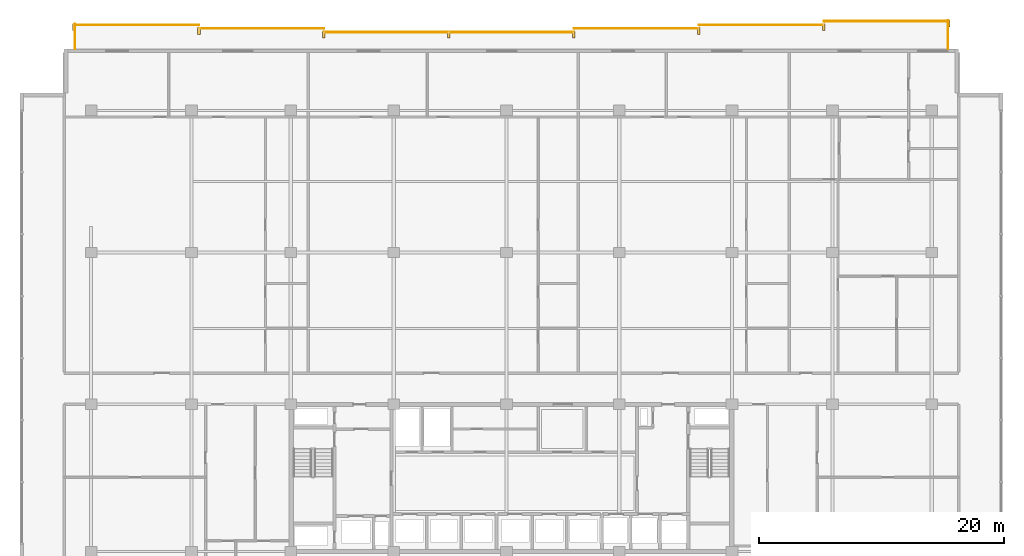
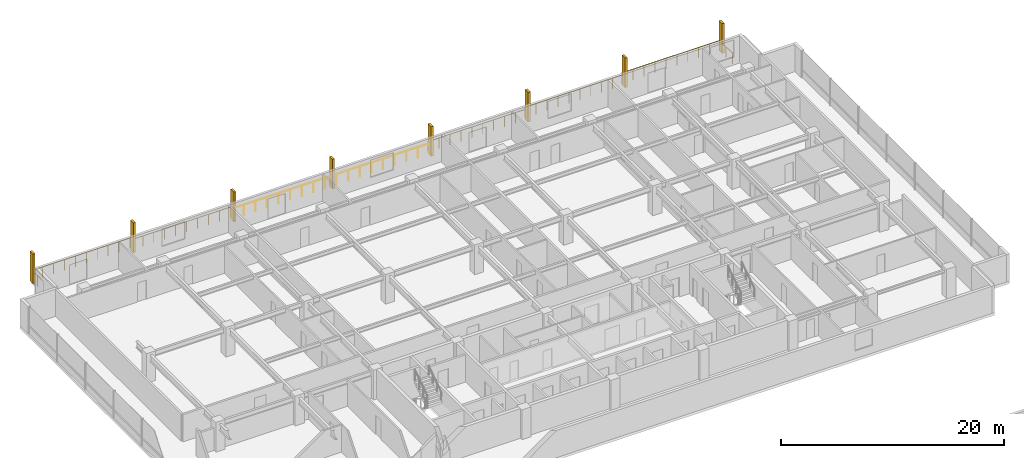
# One storey, part 38 of 38: 8 railings, 8 shading devices.
"""IFC4 building model written with IfcOpenShell, lengths in metres."""

from ifc_helpers import new_model, si_unit, direction, frame, origin, origin_2d, place, context, subcontext, project, spatial, rectangle, circle, extrude, material, type_object, element, save


model = new_model("IFC4")

# Units and contexts
model_context = context("Model", 3, precision=1e-05, world=origin(), true_north=direction((0.0, 1.0)))
body_context = subcontext(model_context, "Body", "Model", "MODEL_VIEW")
ifc_project = project(units=[si_unit("LENGTHUNIT", "METRE"), si_unit("AREAUNIT", "SQUARE_METRE"), si_unit("VOLUMEUNIT", "CUBIC_METRE"), si_unit("PLANEANGLEUNIT", "RADIAN"), si_unit("MASSUNIT", "GRAM", prefix="KILO")], contexts=[model_context])

# Site, building, storey
site_placement = place(None, origin())
site = spatial("IfcSite", under=ifc_project, at=site_placement, CompositionType="ELEMENT")
building_placement = place(site_placement, origin())
building = spatial("IfcBuilding", under=site, at=building_placement, Name="Korimba Cascade Residences", CompositionType="ELEMENT")
storey_placement = place(building_placement, frame((0.0, 0.0, 93.800048828125)))
storey = spatial("IfcBuildingStorey", under=building, at=storey_placement, Name="L26", CompositionType="ELEMENT", Elevation=93.800048828125)

# Railings
ifc_material_1 = material(Name="Laminated Glass and Bronze Balustrade", Category="glass")
railing_type = type_object("IfcRailingType", Name="RLG-LOG-1150", PredefinedType="BALUSTRADE", material=ifc_material_1)
railing_1_placement = place(storey_placement, frame((129.719970703125, 96.199951171875, 0.0)))
element("IfcRailing", 1, at=railing_1_placement, inside=storey, type_object=railing_type, Name="L26 Perimeter Guardrail RLG-L26-T1-LOG-01", PredefinedType="BALUSTRADE", context=body_context, shape_type="SweptSolid", body=[
    extrude(circle(Radius=0.02392578125, at=origin_2d()), frame((0.0, 0.0, 1.1259765625), z_axis=(0.0, 1.0, 0.0), x_axis=(-1.0, 0.0, 0.0)), (0.0, 0.0, 1.0), 2.35009765625),
    extrude(circle(Radius=0.02099609375, at=origin_2d()), origin(), (0.0, 0.0, 1.0), 1.101806640625),
    extrude(circle(Radius=0.02099609375, at=origin_2d()), frame((0.0, 1.175048828125, 0.0)), (0.0, 0.0, 1.0), 1.101806640625),
    extrude(circle(Radius=0.02099609375, at=origin_2d()), frame((0.0, 2.35009765625, 0.0)), (0.0, 0.0, 1.0), 1.101806640625),
])
railing_2_placement = place(storey_placement, frame((129.800048828125, 98.469970703125, 0.0)))
element("IfcRailing", 2, at=railing_2_placement, inside=storey, type_object=railing_type, Name="L26 Perimeter Guardrail RLG-L26-T1-LOG-02", PredefinedType="BALUSTRADE", context=body_context, shape_type="SweptSolid", body=[
    extrude(circle(Radius=0.02392578125, at=origin_2d()), frame((0.0, 0.0, 1.1259765625), z_axis=(-1.0, 0.0, 0.0), x_axis=(0.0, -1.0, 0.0)), (0.0, 0.0, 1.0), 10.199951171875),
    extrude(circle(Radius=0.02099609375, at=origin_2d()), origin(), (0.0, 0.0, 1.0), 1.101806640625),
    extrude(circle(Radius=0.02099609375, at=origin_2d()), frame((-1.13330078125, 0.0, 0.0)), (0.0, 0.0, 1.0), 1.101806640625),
    extrude(circle(Radius=0.02099609375, at=origin_2d()), frame((-2.2666015625, 0.0, 0.0)), (0.0, 0.0, 1.0), 1.101806640625),
    extrude(circle(Radius=0.02099609375, at=origin_2d()), frame((-3.39990234375, 0.0, 0.0)), (0.0, 0.0, 1.0), 1.101806640625),
    extrude(circle(Radius=0.02099609375, at=origin_2d()), frame((-4.533203125, 0.0, 0.0)), (0.0, 0.0, 1.0), 1.101806640625),
    extrude(circle(Radius=0.02099609375, at=origin_2d()), frame((-5.666748046875, 0.0, 0.0)), (0.0, 0.0, 1.0), 1.101806640625),
    extrude(circle(Radius=0.02099609375, at=origin_2d()), frame((-6.800048828125, 0.0, 0.0)), (0.0, 0.0, 1.0), 1.101806640625),
    extrude(circle(Radius=0.02099609375, at=origin_2d()), frame((-7.933349609375, 0.0, 0.0)), (0.0, 0.0, 1.0), 1.101806640625),
    extrude(circle(Radius=0.02099609375, at=origin_2d()), frame((-9.066650390625, 0.0, 0.0)), (0.0, 0.0, 1.0), 1.101806640625),
    extrude(circle(Radius=0.02099609375, at=origin_2d()), frame((-10.199951171875, 0.0, 0.0)), (0.0, 0.0, 1.0), 1.101806640625),
])
railing_3_placement = place(storey_placement, frame((119.60009765625, 98.169921875, 0.0)))
element("IfcRailing", 3, at=railing_3_placement, inside=storey, type_object=railing_type, Name="L26 Perimeter Guardrail RLG-L26-T1-LOG-03", PredefinedType="BALUSTRADE", context=body_context, shape_type="SweptSolid", body=[
    extrude(circle(Radius=0.02392578125, at=origin_2d()), frame((0.0, 0.0, 1.1259765625), z_axis=(-1.0, 0.0, 0.0), x_axis=(0.0, -1.0, 0.0)), (0.0, 0.0, 1.0), 10.2001953125),
    extrude(circle(Radius=0.02099609375, at=origin_2d()), origin(), (0.0, 0.0, 1.0), 1.101806640625),
    extrude(circle(Radius=0.02099609375, at=origin_2d()), frame((-1.13330078125, 0.0, 0.0)), (0.0, 0.0, 1.0), 1.101806640625),
    extrude(circle(Radius=0.02099609375, at=origin_2d()), frame((-2.2666015625, 0.0, 0.0)), (0.0, 0.0, 1.0), 1.101806640625),
    extrude(circle(Radius=0.02099609375, at=origin_2d()), frame((-3.400146484375, 0.0, 0.0)), (0.0, 0.0, 1.0), 1.101806640625),
    extrude(circle(Radius=0.02099609375, at=origin_2d()), frame((-4.533447265625, 0.0, 0.0)), (0.0, 0.0, 1.0), 1.101806640625),
    extrude(circle(Radius=0.02099609375, at=origin_2d()), frame((-5.666748046875, 0.0, 0.0)), (0.0, 0.0, 1.0), 1.101806640625),
    extrude(circle(Radius=0.02099609375, at=origin_2d()), frame((-6.800048828125, 0.0, 0.0)), (0.0, 0.0, 1.0), 1.101806640625),
    extrude(circle(Radius=0.02099609375, at=origin_2d()), frame((-7.93359375, 0.0, 0.0)), (0.0, 0.0, 1.0), 1.101806640625),
    extrude(circle(Radius=0.02099609375, at=origin_2d()), frame((-9.06689453125, 0.0, 0.0)), (0.0, 0.0, 1.0), 1.101806640625),
    extrude(circle(Radius=0.02099609375, at=origin_2d()), frame((-10.2001953125, 0.0, 0.0)), (0.0, 0.0, 1.0), 1.101806640625),
])
railing_4_placement = place(storey_placement, frame((109.39990234375, 97.8701171875, 0.0)))
element("IfcRailing", 4, at=railing_4_placement, inside=storey, type_object=railing_type, Name="L26 Perimeter Guardrail RLG-L26-T1-LOG-04", PredefinedType="BALUSTRADE", context=body_context, shape_type="SweptSolid", body=[
    extrude(circle(Radius=0.02392578125, at=origin_2d()), frame((0.0, 0.0, 1.1259765625), z_axis=(-1.0, 0.0, 0.0), x_axis=(0.0, -1.0, 0.0)), (0.0, 0.0, 1.0), 10.199951171875),
    extrude(circle(Radius=0.02099609375, at=origin_2d()), origin(), (0.0, 0.0, 1.0), 1.101806640625),
    extrude(circle(Radius=0.02099609375, at=origin_2d()), frame((-1.13330078125, 0.0, 0.0)), (0.0, 0.0, 1.0), 1.101806640625),
    extrude(circle(Radius=0.02099609375, at=origin_2d()), frame((-2.2666015625, 0.0, 0.0)), (0.0, 0.0, 1.0), 1.101806640625),
    extrude(circle(Radius=0.02099609375, at=origin_2d()), frame((-3.39990234375, 0.0, 0.0)), (0.0, 0.0, 1.0), 1.101806640625),
    extrude(circle(Radius=0.02099609375, at=origin_2d()), frame((-4.533203125, 0.0, 0.0)), (0.0, 0.0, 1.0), 1.101806640625),
    extrude(circle(Radius=0.02099609375, at=origin_2d()), frame((-5.666748046875, 0.0, 0.0)), (0.0, 0.0, 1.0), 1.101806640625),
    extrude(circle(Radius=0.02099609375, at=origin_2d()), frame((-6.800048828125, 0.0, 0.0)), (0.0, 0.0, 1.0), 1.101806640625),
    extrude(circle(Radius=0.02099609375, at=origin_2d()), frame((-7.933349609375, 0.0, 0.0)), (0.0, 0.0, 1.0), 1.101806640625),
    extrude(circle(Radius=0.02099609375, at=origin_2d()), frame((-9.066650390625, 0.0, 0.0)), (0.0, 0.0, 1.0), 1.101806640625),
    extrude(circle(Radius=0.02099609375, at=origin_2d()), frame((-10.199951171875, 0.0, 0.0)), (0.0, 0.0, 1.0), 1.101806640625),
])
railing_5_placement = place(storey_placement, frame((99.199951171875, 97.570068359375, 0.0)))
element("IfcRailing", 5, at=railing_5_placement, inside=storey, type_object=railing_type, Name="L26 Perimeter Guardrail RLG-L26-T1-LOG-05", PredefinedType="BALUSTRADE", context=body_context, shape_type="SweptSolid", body=[
    extrude(circle(Radius=0.02392578125, at=origin_2d()), frame((0.0, 0.0, 1.1259765625), z_axis=(-1.0, 0.0, 0.0), x_axis=(0.0, -1.0, 0.0)), (0.0, 0.0, 1.0), 20.39990234375),
    extrude(circle(Radius=0.02099609375, at=origin_2d()), origin(), (0.0, 0.0, 1.0), 1.101806640625),
    extrude(circle(Radius=0.02099609375, at=origin_2d()), frame((-1.199951171875, 0.0, 0.0)), (0.0, 0.0, 1.0), 1.101806640625),
    extrude(circle(Radius=0.02099609375, at=origin_2d()), frame((-2.39990234375, 0.0, 0.0)), (0.0, 0.0, 1.0), 1.101806640625),
    extrude(circle(Radius=0.02099609375, at=origin_2d()), frame((-3.60009765625, 0.0, 0.0)), (0.0, 0.0, 1.0), 1.101806640625),
    extrude(circle(Radius=0.02099609375, at=origin_2d()), frame((-4.800048828125, 0.0, 0.0)), (0.0, 0.0, 1.0), 1.101806640625),
    extrude(circle(Radius=0.02099609375, at=origin_2d()), frame((-6.0, 0.0, 0.0)), (0.0, 0.0, 1.0), 1.101806640625),
    extrude(circle(Radius=0.02099609375, at=origin_2d()), frame((-7.199951171875, 0.0, 0.0)), (0.0, 0.0, 1.0), 1.101806640625),
    extrude(circle(Radius=0.02099609375, at=origin_2d()), frame((-8.39990234375, 0.0, 0.0)), (0.0, 0.0, 1.0), 1.101806640625),
    extrude(circle(Radius=0.02099609375, at=origin_2d()), frame((-9.599853515625, 0.0, 0.0)), (0.0, 0.0, 1.0), 1.101806640625),
    extrude(circle(Radius=0.02099609375, at=origin_2d()), frame((-10.800048828125, 0.0, 0.0)), (0.0, 0.0, 1.0), 1.101806640625),
    extrude(circle(Radius=0.02099609375, at=origin_2d()), frame((-12.0, 0.0, 0.0)), (0.0, 0.0, 1.0), 1.101806640625),
    extrude(circle(Radius=0.02099609375, at=origin_2d()), frame((-13.199951171875, 0.0, 0.0)), (0.0, 0.0, 1.0), 1.101806640625),
    extrude(circle(Radius=0.02099609375, at=origin_2d()), frame((-14.39990234375, 0.0, 0.0)), (0.0, 0.0, 1.0), 1.101806640625),
    extrude(circle(Radius=0.02099609375, at=origin_2d()), frame((-15.599853515625, 0.0, 0.0)), (0.0, 0.0, 1.0), 1.101806640625),
    extrude(circle(Radius=0.02099609375, at=origin_2d()), frame((-16.7998046875, 0.0, 0.0)), (0.0, 0.0, 1.0), 1.101806640625),
    extrude(circle(Radius=0.02099609375, at=origin_2d()), frame((-18.0, 0.0, 0.0)), (0.0, 0.0, 1.0), 1.101806640625),
    extrude(circle(Radius=0.02099609375, at=origin_2d()), frame((-19.199951171875, 0.0, 0.0)), (0.0, 0.0, 1.0), 1.101806640625),
    extrude(circle(Radius=0.02099609375, at=origin_2d()), frame((-20.39990234375, 0.0, 0.0)), (0.0, 0.0, 1.0), 1.101806640625),
])
railing_6_placement = place(storey_placement, frame((78.800048828125, 97.8701171875, 0.0)))
element("IfcRailing", 6, at=railing_6_placement, inside=storey, type_object=railing_type, Name="L26 Perimeter Guardrail RLG-L26-T1-LOG-06", PredefinedType="BALUSTRADE", context=body_context, shape_type="SweptSolid", body=[
    extrude(circle(Radius=0.02392578125, at=origin_2d()), frame((0.0, 0.0, 1.1259765625), z_axis=(-1.0, 0.0, 0.0), x_axis=(0.0, -1.0, 0.0)), (0.0, 0.0, 1.0), 10.199951171875),
    extrude(circle(Radius=0.02099609375, at=origin_2d()), origin(), (0.0, 0.0, 1.0), 1.101806640625),
    extrude(circle(Radius=0.02099609375, at=origin_2d()), frame((-1.13330078125, 0.0, 0.0)), (0.0, 0.0, 1.0), 1.101806640625),
    extrude(circle(Radius=0.02099609375, at=origin_2d()), frame((-2.2666015625, 0.0, 0.0)), (0.0, 0.0, 1.0), 1.101806640625),
    extrude(circle(Radius=0.02099609375, at=origin_2d()), frame((-3.39990234375, 0.0, 0.0)), (0.0, 0.0, 1.0), 1.101806640625),
    extrude(circle(Radius=0.02099609375, at=origin_2d()), frame((-4.533203125, 0.0, 0.0)), (0.0, 0.0, 1.0), 1.101806640625),
    extrude(circle(Radius=0.02099609375, at=origin_2d()), frame((-5.666748046875, 0.0, 0.0)), (0.0, 0.0, 1.0), 1.101806640625),
    extrude(circle(Radius=0.02099609375, at=origin_2d()), frame((-6.800048828125, 0.0, 0.0)), (0.0, 0.0, 1.0), 1.101806640625),
    extrude(circle(Radius=0.02099609375, at=origin_2d()), frame((-7.933349609375, 0.0, 0.0)), (0.0, 0.0, 1.0), 1.101806640625),
    extrude(circle(Radius=0.02099609375, at=origin_2d()), frame((-9.066650390625, 0.0, 0.0)), (0.0, 0.0, 1.0), 1.101806640625),
    extrude(circle(Radius=0.02099609375, at=origin_2d()), frame((-10.199951171875, 0.0, 0.0)), (0.0, 0.0, 1.0), 1.101806640625),
])
railing_7_placement = place(storey_placement, frame((68.60009765625, 98.169921875, 0.0)))
element("IfcRailing", 7, at=railing_7_placement, inside=storey, type_object=railing_type, Name="L26 Perimeter Guardrail RLG-L26-T1-LOG-07", PredefinedType="BALUSTRADE", context=body_context, shape_type="SweptSolid", body=[
    extrude(circle(Radius=0.02392578125, at=origin_2d()), frame((0.0, 0.0, 1.1259765625), z_axis=(-1.0, 0.0, 0.0), x_axis=(0.0, -1.0, 0.0)), (0.0, 0.0, 1.0), 10.2001953125),
    extrude(circle(Radius=0.02099609375, at=origin_2d()), origin(), (0.0, 0.0, 1.0), 1.101806640625),
    extrude(circle(Radius=0.02099609375, at=origin_2d()), frame((-1.13330078125, 0.0, 0.0)), (0.0, 0.0, 1.0), 1.101806640625),
    extrude(circle(Radius=0.02099609375, at=origin_2d()), frame((-2.2666015625, 0.0, 0.0)), (0.0, 0.0, 1.0), 1.101806640625),
    extrude(circle(Radius=0.02099609375, at=origin_2d()), frame((-3.400146484375, 0.0, 0.0)), (0.0, 0.0, 1.0), 1.101806640625),
    extrude(circle(Radius=0.02099609375, at=origin_2d()), frame((-4.533447265625, 0.0, 0.0)), (0.0, 0.0, 1.0), 1.101806640625),
    extrude(circle(Radius=0.02099609375, at=origin_2d()), frame((-5.666748046875, 0.0, 0.0)), (0.0, 0.0, 1.0), 1.101806640625),
    extrude(circle(Radius=0.02099609375, at=origin_2d()), frame((-6.800048828125, 0.0, 0.0)), (0.0, 0.0, 1.0), 1.101806640625),
    extrude(circle(Radius=0.02099609375, at=origin_2d()), frame((-7.93359375, 0.0, 0.0)), (0.0, 0.0, 1.0), 1.101806640625),
    extrude(circle(Radius=0.02099609375, at=origin_2d()), frame((-9.06689453125, 0.0, 0.0)), (0.0, 0.0, 1.0), 1.101806640625),
    extrude(circle(Radius=0.02099609375, at=origin_2d()), frame((-10.2001953125, 0.0, 0.0)), (0.0, 0.0, 1.0), 1.101806640625),
])
railing_8_placement = place(storey_placement, frame((58.47998046875, 98.25, 0.0)))
element("IfcRailing", 8, at=railing_8_placement, inside=storey, type_object=railing_type, Name="L26 Perimeter Guardrail RLG-L26-T1-LOG-08", PredefinedType="BALUSTRADE", context=body_context, shape_type="SweptSolid", body=[
    extrude(circle(Radius=0.02392578125, at=origin_2d()), frame((0.0, 0.0, 1.1259765625), z_axis=(0.0, -1.0, 0.0), x_axis=(1.0, 0.0, 0.0)), (0.0, 0.0, 1.0), 2.050048828125),
    extrude(circle(Radius=0.02099609375, at=origin_2d()), origin(), (0.0, 0.0, 1.0), 1.101806640625),
    extrude(circle(Radius=0.02099609375, at=origin_2d()), frame((0.0, -1.02490234375, 0.0)), (0.0, 0.0, 1.0), 1.101806640625),
    extrude(circle(Radius=0.02099609375, at=origin_2d()), frame((0.0, -2.050048828125, 0.0)), (0.0, 0.0, 1.0), 1.101806640625),
])

# Shading devices
ifc_material_2 = material(Name="Honed Sandstone Precast Fin", Category="masonry")
shading_device_type = type_object("IfcShadingDeviceType", Name="SHD-FIN-550", PredefinedType="USERDEFINED", material=ifc_material_2)
for number, where, z_axis, x_axis, name in (
    (9, (58.39990234375, 97.97509765625, 0.0), (0.0, 0.0, 1.0), (1.0, 0.0, 0.0), "L26 T1 Warm-Stone Loggia Fin 1"),
    (10, (68.60009765625, 97.675048828125, 0.0), (0.0, 0.0, 1.0), (1.0, 0.0, 0.0), "L26 T1 Warm-Stone Loggia Fin 2"),
    (11, (78.800048828125, 97.375, 0.0), (0.0, 0.0, 1.0), (1.0, 0.0, 0.0), "L26 T1 Warm-Stone Loggia Fin 3"),
    (12, (89.0, 97.375, 0.0), (0.0, 0.0, 1.0), (1.0, 0.0, 0.0), "L26 T1 Warm-Stone Loggia Fin 4"),
    (13, (99.199951171875, 97.375, 0.0), (0.0, 0.0, 1.0), (1.0, 0.0, 0.0), "L26 T1 Warm-Stone Loggia Fin 5"),
    (14, (109.39990234375, 97.675048828125, 0.0), (0.0, 0.0, 1.0), (1.0, 0.0, 0.0), "L26 T1 Warm-Stone Loggia Fin 6"),
    (15, (119.60009765625, 97.97509765625, 0.0), (0.0, 0.0, 1.0), (1.0, 0.0, 0.0), "L26 T1 Warm-Stone Loggia Fin 7"),
    (16, (129.800048828125, 98.27490234375, 0.0), (0.0, 0.0, 1.0), (1.0, 0.0, 0.0), "L26 T1 Warm-Stone Loggia Fin 8"),
):
    element("IfcShadingDevice", number, at=place(storey_placement, frame(where, z_axis=z_axis, x_axis=x_axis)), inside=storey, type_object=shading_device_type, Name=name, ObjectType="FIN", PredefinedType="USERDEFINED", context=body_context, shape_type="SweptSolid", body=[
        extrude(rectangle(XDim=0.219970703125, YDim=0.550048828125, at=origin_2d()), origin(), (0.0, 0.0, 1.0), 3.25),
    ])

save(model, "model.ifc")
